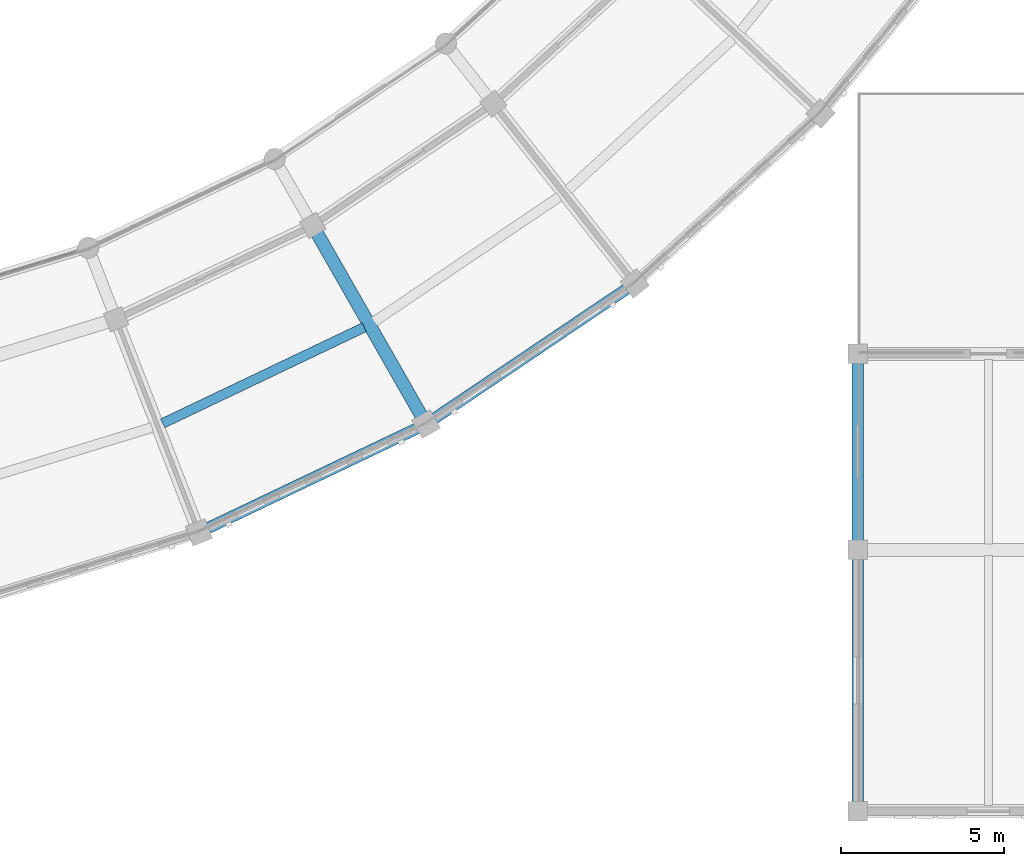
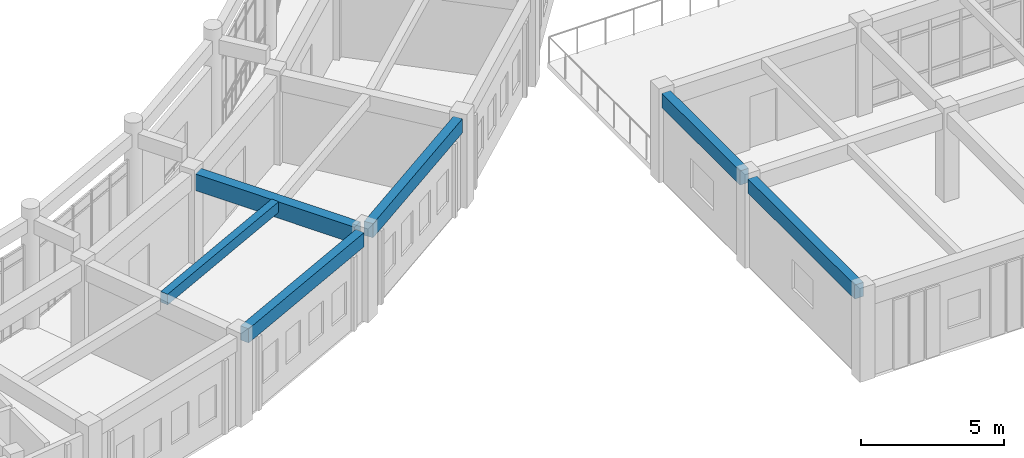
# One storey, part 37 of 159: 6 beams.
"""IFC4 building model written with IfcOpenShell, lengths in metres."""

from ifc_helpers import new_model, si_unit, direction, frame, origin, origin_2d, place, context, subcontext, project, spatial, rectangle, extrude, material, material_profile, profile_set, type_object, element, save


model = new_model("IFC4")

# Units and contexts
model_context = context("Model", 3, precision=1e-05, world=origin(), true_north=direction((0.0, 1.0)))
body_context = subcontext(model_context, "Body", "Model", "MODEL_VIEW")
ifc_project = project(units=[si_unit("LENGTHUNIT", "METRE"), si_unit("AREAUNIT", "SQUARE_METRE"), si_unit("VOLUMEUNIT", "CUBIC_METRE"), si_unit("PLANEANGLEUNIT", "RADIAN"), si_unit("MASSUNIT", "GRAM", prefix="KILO")], contexts=[model_context])

# Site, building, storey
site_placement = place(None, origin())
site = spatial("IfcSite", under=ifc_project, at=site_placement, CompositionType="ELEMENT")
building_placement = place(site_placement, origin())
building = spatial("IfcBuilding", under=site, at=building_placement, Name="Celadon Cloister-Ring School", CompositionType="ELEMENT")
storey_placement = place(building_placement, frame((0.0, 0.0, 4.5)))
storey = spatial("IfcBuildingStorey", under=building, at=storey_placement, Name="L01", CompositionType="ELEMENT", Elevation=4.5)

# Beams
ifc_material_1 = material(Name="Concrete C35/45", Category="concrete")
ifc_material_profile_1 = material_profile(ifc_material_1, rectangle(XDim=0.35009765625, YDim=0.60009765625, at=origin_2d()), Name="RC350X600")
ifc_profile_set_1 = profile_set([ifc_material_profile_1], Name="Concrete C35/45")
beam_type_1 = type_object("IfcBeamType", Name="BT-02", PredefinedType="BEAM", material=ifc_profile_set_1)
beam_1_placement = place(storey_placement, frame((126.0, 2.27490234375, 3.4599609375), z_axis=(0.0, 1.0, 0.0), x_axis=(-1.0, 0.0, 0.0)))
element("IfcBeam", 1, at=beam_1_placement, inside=storey, type_object=beam_type_1, Name="Beam 1316", PredefinedType="BEAM", context=body_context, shape_type="SweptSolid", body=[
    extrude(rectangle(XDim=0.35009765625, YDim=0.60009765625, at=origin_2d()), origin(), (0.0, 0.0, 1.0), 7.4501953125),
])
beam_2_placement = place(storey_placement, frame((126.0, 10.27490234375, 3.4599609375), z_axis=(0.0, 1.0, 0.0), x_axis=(-1.0, 0.0, 0.0)))
element("IfcBeam", 2, at=beam_2_placement, inside=storey, type_object=beam_type_1, Name="Beam 1317", PredefinedType="BEAM", context=body_context, shape_type="SweptSolid", body=[
    extrude(rectangle(XDim=0.35009765625, YDim=0.60009765625, at=origin_2d()), origin(), (0.0, 0.0, 1.0), 5.4501953125),
])
ifc_material_2 = material(Name="Concrete C35/45", Category="concrete")
ifc_material_profile_2 = material_profile(ifc_material_2, rectangle(XDim=0.39990234375, YDim=0.699951171875, at=origin_2d()), Name="RC400X700")
ifc_profile_set_2 = profile_set([ifc_material_profile_2], Name="Concrete C35/45")
beam_type_2 = type_object("IfcBeamType", Name="GT-03", PredefinedType="USERDEFINED", material=ifc_profile_set_2)
beam_3_placement = place(storey_placement, frame((112.64306640625, 14.10791015625, 3.429931640625), z_axis=(-0.496016173034, 0.868313282225, 0.0), x_axis=(-0.868313282225, -0.496016173034, 0.0)))
element("IfcBeam", 3, at=beam_3_placement, inside=storey, type_object=beam_type_2, Name="Beam 0238", ObjectType="GIRDER", PredefinedType="USERDEFINED", context=body_context, shape_type="SweptSolid", body=[
    extrude(rectangle(XDim=0.39990234375, YDim=0.699951171875, at=origin_2d()), origin(), (0.0, 0.0, 1.0), 6.42529296875),
])
ifc_material_3 = material(Name="Concrete C35/45", Category="concrete")
ifc_material_profile_3 = material_profile(ifc_material_3, rectangle(XDim=0.300048828125, YDim=0.449951171875, at=origin_2d()), Name="RC300X450")
ifc_profile_set_3 = profile_set([ifc_material_profile_3], Name="Concrete C35/45")
beam_type_3 = type_object("IfcBeamType", Name="JT-01", PredefinedType="JOIST", material=ifc_profile_set_3)
beam_4_placement = place(storey_placement, frame((104.72802734375, 13.8701171875, 3.554931640625), z_axis=(0.902698033941, 0.43027463267, 0.0), x_axis=(-0.43027463267, 0.902698033941, 0.0)))
element("IfcBeam", 4, at=beam_4_placement, inside=storey, type_object=beam_type_3, Name="Beam 0342", PredefinedType="JOIST", context=body_context, shape_type="SweptSolid", body=[
    extrude(rectangle(XDim=0.300048828125, YDim=0.449951171875, at=origin_2d()), origin(), (0.0, 0.0, 1.0), 6.8349609375),
])
ifc_material_4 = material(Name="Concrete C35/45", Category="concrete")
ifc_material_profile_4 = material_profile(ifc_material_4, rectangle(XDim=0.35009765625, YDim=0.60009765625, at=origin_2d()), Name="RC350X600")
ifc_profile_set_4 = profile_set([ifc_material_profile_4], Name="Concrete C35/45")
beam_type_4 = type_object("IfcBeamType", Name="SP-01", PredefinedType="SPANDREL", material=ifc_profile_set_4)
beam_5_placement = place(storey_placement, frame((106.10888671875, 10.660888671875, 3.47998046875), z_axis=(0.902655856994, 0.430363106963, 0.0), x_axis=(-0.430363106963, 0.902655856994, 0.0)))
element("IfcBeam", 5, at=beam_5_placement, inside=storey, type_object=beam_type_4, Name="Beam 0339", PredefinedType="SPANDREL", context=body_context, shape_type="SweptSolid", body=[
    extrude(rectangle(XDim=0.35009765625, YDim=0.60009765625, at=origin_2d()), origin(), (0.0, 0.0, 1.0), 7.103515625),
])
beam_6_placement = place(storey_placement, frame((113.041015625, 14.014892578125, 3.47998046875), z_axis=(0.82920513084, 0.558944407781, 0.0), x_axis=(-0.558944407781, 0.82920513084, 0.0)))
element("IfcBeam", 6, at=beam_6_placement, inside=storey, type_object=beam_type_4, Name="Beam 0343", PredefinedType="SPANDREL", context=body_context, shape_type="SweptSolid", body=[
    extrude(rectangle(XDim=0.35009765625, YDim=0.60009765625, at=origin_2d()), origin(), (0.0, 0.0, 1.0), 7.10302734375),
])

save(model, "model.ifc")
